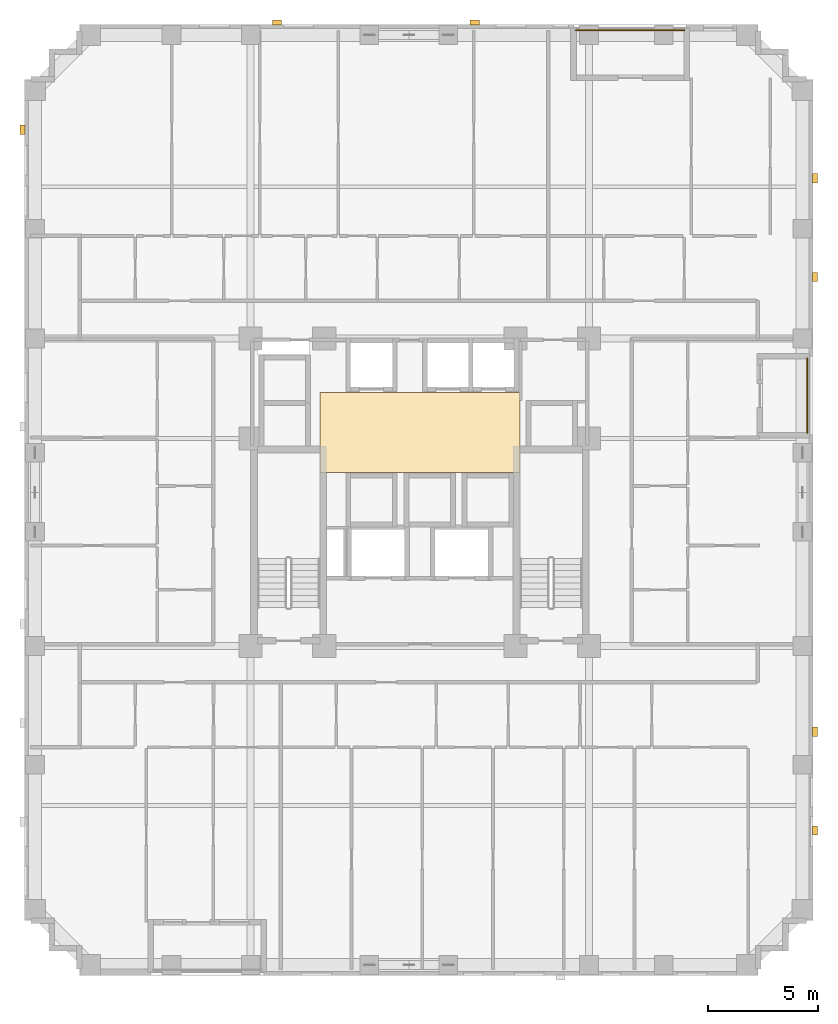
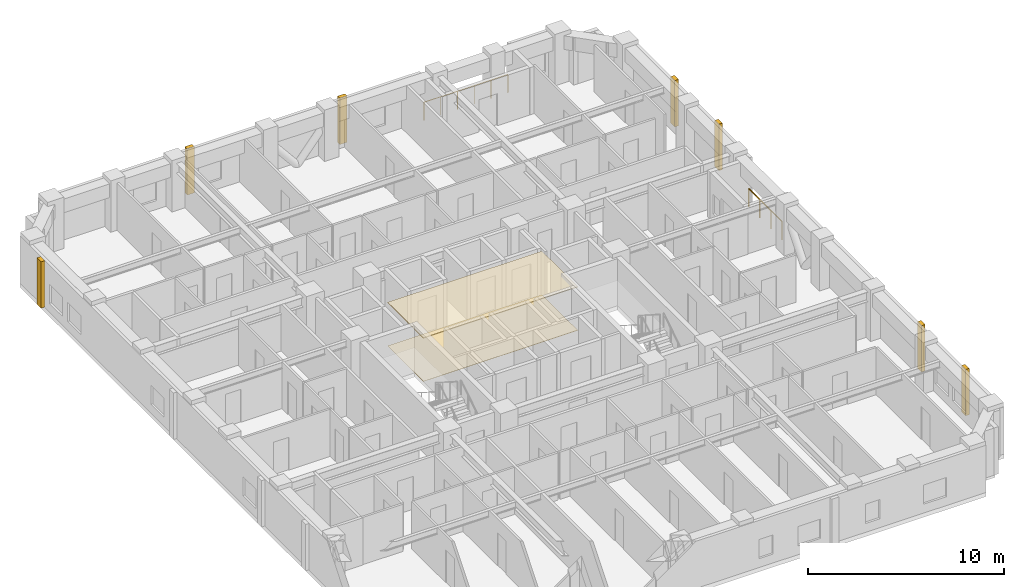
# One storey, part 12 of 12: 9 coverings, 2 railings.
"""IFC4 building model written with IfcOpenShell, lengths in metres."""

from ifc_helpers import new_model, si_unit, derived_unit, direction, frame, origin, origin_2d, place, context, subcontext, project, spatial, polyline, rectangle, circle, outline, extrude, material, layer, layer_set, type_object, element, save


model = new_model("IFC4")

# Units and contexts
model_context = context("Model", 3, precision=1e-05, world=origin(), true_north=direction((0.0, 1.0)))
body_context = subcontext(model_context, "Body", "Model", "MODEL_VIEW")
ifc_project = project(units=[si_unit("LENGTHUNIT", "METRE"), si_unit("AREAUNIT", "SQUARE_METRE"), si_unit("VOLUMEUNIT", "CUBIC_METRE"), si_unit("PLANEANGLEUNIT", "RADIAN"), si_unit("MASSUNIT", "GRAM", prefix="KILO"), derived_unit("THERMALTRANSMITTANCEUNIT", [(si_unit("MASSUNIT", "GRAM", prefix="KILO"), 1), (si_unit("TIMEUNIT", "SECOND"), -3), (si_unit("THERMODYNAMICTEMPERATUREUNIT", "KELVIN"), -1)])], contexts=[model_context])

# Site, building, storey
site_placement = place(None, origin())
site = spatial("IfcSite", under=ifc_project, at=site_placement, CompositionType="ELEMENT")
building_placement = place(site_placement, origin())
building = spatial("IfcBuilding", under=site, at=building_placement, Name="Korrvale Station Residences", CompositionType="ELEMENT")
storey_placement = place(building_placement, frame((0.0, 0.0, 84.699951171875)))
storey = spatial("IfcBuildingStorey", under=building, at=storey_placement, Name="L23", CompositionType="ELEMENT", Elevation=84.699951171875)

# Coverings
ifc_material_1 = material(Name="Perforated acoustic mineral-fibre suspended ceiling", Category="gypsum")
ifc_layer_1 = layer(ifc_material_1, 0.050048828125, Name="Perforated acoustic mineral-fibre suspended ceiling")
ifc_layer_set_1 = layer_set([ifc_layer_1], Name="Perforated acoustic mineral-fibre suspended ceiling")
covering_type_1 = type_object("IfcCoveringType", Name="COV-CLG-AC60", PredefinedType="CEILING", material=ifc_layer_set_1)
covering_1_placement = place(storey_placement, frame((0.0, 0.0, 2.68994140625)))
element("IfcCovering", 1, at=covering_1_placement, inside=storey, type_object=covering_type_1, Name="L23 Elevator Lobby Acoustic Ceiling", PredefinedType="CEILING", context=body_context, shape_type="SweptSolid", body=[
    extrude(outline(polyline([(20.949951171875, 22.89990234375), (30.050048828125, 22.89990234375), (30.050048828125, 26.550048828125), (20.949951171875, 26.550048828125), (20.949951171875, 22.89990234375)])), origin(), (0.0, 0.0, 1.0), 0.050048828125),
])
ifc_material_2 = material(Name="Polished quartz-terrazzo lobby flooring", Category="masonry")
ifc_layer_2 = layer(ifc_material_2, 0.02001953125, Name="Polished quartz-terrazzo lobby flooring")
ifc_layer_set_2 = layer_set([ifc_layer_2], Name="Polished quartz-terrazzo lobby flooring")
covering_type_2 = type_object("IfcCoveringType", Name="COV-FLR-TER20", PredefinedType="FLOORING", material=ifc_layer_set_2)
covering_2_placement = place(storey_placement, origin())
element("IfcCovering", 2, at=covering_2_placement, inside=storey, type_object=covering_type_2, Name="L23 Elevator Lobby Terrazzo Flooring", PredefinedType="FLOORING", context=body_context, shape_type="SweptSolid", body=[
    extrude(outline(polyline([(20.949951171875, 22.89990234375), (30.050048828125, 22.89990234375), (30.050048828125, 26.550048828125), (20.949951171875, 26.550048828125), (20.949951171875, 22.89990234375)])), origin(), (0.0, 0.0, 1.0), 0.02001953125),
])
ifc_material_3 = material(Name="Architectural precast concrete C45/55", Category="concrete")
ifc_layer_3 = layer(ifc_material_3, 0.219970703125, Name="Architectural precast concrete C45/55")
ifc_layer_set_3 = layer_set([ifc_layer_3], Name="Architectural precast concrete C45/55")
covering_type_3 = type_object("IfcCoveringType", Name="COV-PIER-400", PredefinedType="CLADDING", material=ifc_layer_set_3)
for number, where, z_axis, x_axis, name in (
    (3, (19.0, 43.389892578125, 0.02490234375), (0.0, 0.0, 1.0), (1.0, 0.0, 0.0), "L23 Architectural Precast Facade Pier 02"),
    (4, (28.0, 43.389892578125, 0.02490234375), (0.0, 0.0, 1.0), (1.0, 0.0, 0.0), "L23 Architectural Precast Facade Pier 03"),
    (5, (7.409912109375, 38.5, 0.02490234375), (0.0, 0.0, 1.0), (0.0, 1.0, 0.0), "L23 Architectural Precast Facade Pier 08"),
    (6, (43.489990234375, 36.300048828125, 0.02490234375), (0.0, 0.0, 1.0), (0.0, 1.0, 0.0), "L23 Architectural Precast Facade Pier 09"),
    (7, (43.489990234375, 31.800048828125, 0.02490234375), (0.0, 0.0, 1.0), (0.0, 1.0, 0.0), "L23 Architectural Precast Facade Pier 10"),
    (8, (43.489990234375, 11.10009765625, 0.02490234375), (0.0, 0.0, 1.0), (0.0, 1.0, 0.0), "L23 Architectural Precast Facade Pier 11"),
    (9, (43.489990234375, 6.60009765625, 0.02490234375), (0.0, 0.0, 1.0), (0.0, 1.0, 0.0), "L23 Architectural Precast Facade Pier 12"),
):
    element("IfcCovering", number, at=place(storey_placement, frame(where, z_axis=z_axis, x_axis=x_axis)), inside=storey, type_object=covering_type_3, Name=name, PredefinedType="CLADDING", context=body_context, shape_type="SweptSolid", body=[
        extrude(rectangle(XDim=0.419921875, YDim=0.219970703125, at=origin_2d()), origin(), (0.0, 0.0, 1.0), 2.889892578125),
    ])

# Railings
ifc_material_4 = material(Name="Powder-coated aluminium picket loggia guard", Category="aluminium")
railing_type = type_object("IfcRailingType", Name="RLG-BAL-1150", PredefinedType="GUARDRAIL", material=ifc_material_4)
railing_1_placement = place(storey_placement, frame((32.60009765625, 43.030029296875, 0.0)))
element("IfcRailing", 10, at=railing_1_placement, inside=storey, type_object=railing_type, Name="L23 Recessed Loggia Guardrail BAL-L23-N1", PredefinedType="GUARDRAIL", context=body_context, shape_type="SweptSolid", body=[
    extrude(circle(Radius=0.02392578125, at=origin_2d()), frame((0.0, 0.0, 1.1259765625), z_axis=(1.0, 0.0, 0.0), x_axis=(0.0, 1.0, 0.0)), (0.0, 0.0, 1.0), 4.949951171875),
    extrude(circle(Radius=0.02099609375, at=origin_2d()), origin(), (0.0, 0.0, 1.0), 1.101806640625),
    extrude(circle(Radius=0.02099609375, at=origin_2d()), frame((0.989990234375, 0.0, 0.0)), (0.0, 0.0, 1.0), 1.101806640625),
    extrude(circle(Radius=0.02099609375, at=origin_2d()), frame((1.97998046875, 0.0, 0.0)), (0.0, 0.0, 1.0), 1.101806640625),
    extrude(circle(Radius=0.02099609375, at=origin_2d()), frame((2.969970703125, 0.0, 0.0)), (0.0, 0.0, 1.0), 1.101806640625),
    extrude(circle(Radius=0.02099609375, at=origin_2d()), frame((3.9599609375, 0.0, 0.0)), (0.0, 0.0, 1.0), 1.101806640625),
    extrude(circle(Radius=0.02099609375, at=origin_2d()), frame((4.949951171875, 0.0, 0.0)), (0.0, 0.0, 1.0), 1.101806640625),
])
railing_2_placement = place(storey_placement, frame((43.1298828125, 24.699951171875, 0.0)))
element("IfcRailing", 11, at=railing_2_placement, inside=storey, type_object=railing_type, Name="L23 Recessed Loggia Guardrail BAL-L23-E1", PredefinedType="GUARDRAIL", context=body_context, shape_type="SweptSolid", body=[
    extrude(circle(Radius=0.02392578125, at=origin_2d()), frame((0.0, 0.0, 1.1259765625), z_axis=(0.0, 1.0, 0.0), x_axis=(-1.0, 0.0, 0.0)), (0.0, 0.0, 1.0), 3.400146484375),
    extrude(circle(Radius=0.02099609375, at=origin_2d()), origin(), (0.0, 0.0, 1.0), 1.101806640625),
    extrude(circle(Radius=0.02099609375, at=origin_2d()), frame((0.0, 1.13330078125, 0.0)), (0.0, 0.0, 1.0), 1.101806640625),
    extrude(circle(Radius=0.02099609375, at=origin_2d()), frame((0.0, 2.266845703125, 0.0)), (0.0, 0.0, 1.0), 1.101806640625),
    extrude(circle(Radius=0.02099609375, at=origin_2d()), frame((0.0, 3.400146484375, 0.0)), (0.0, 0.0, 1.0), 1.101806640625),
])

save(model, "model.ifc")
